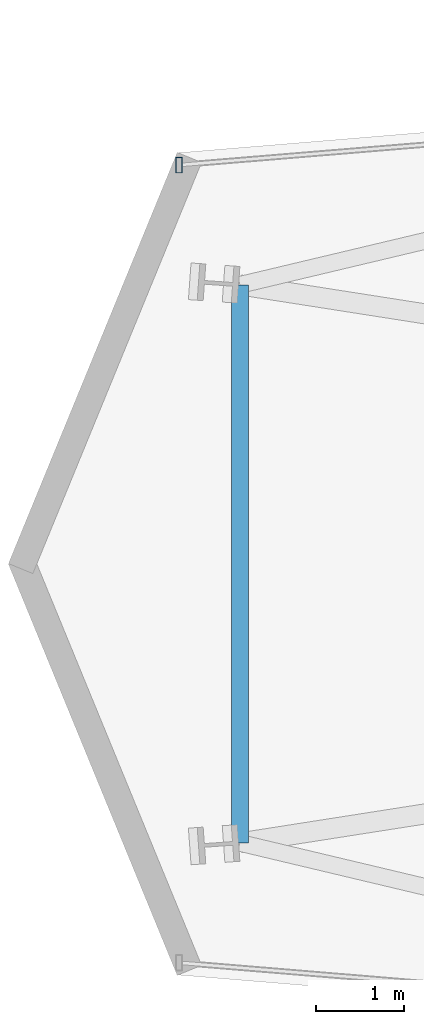
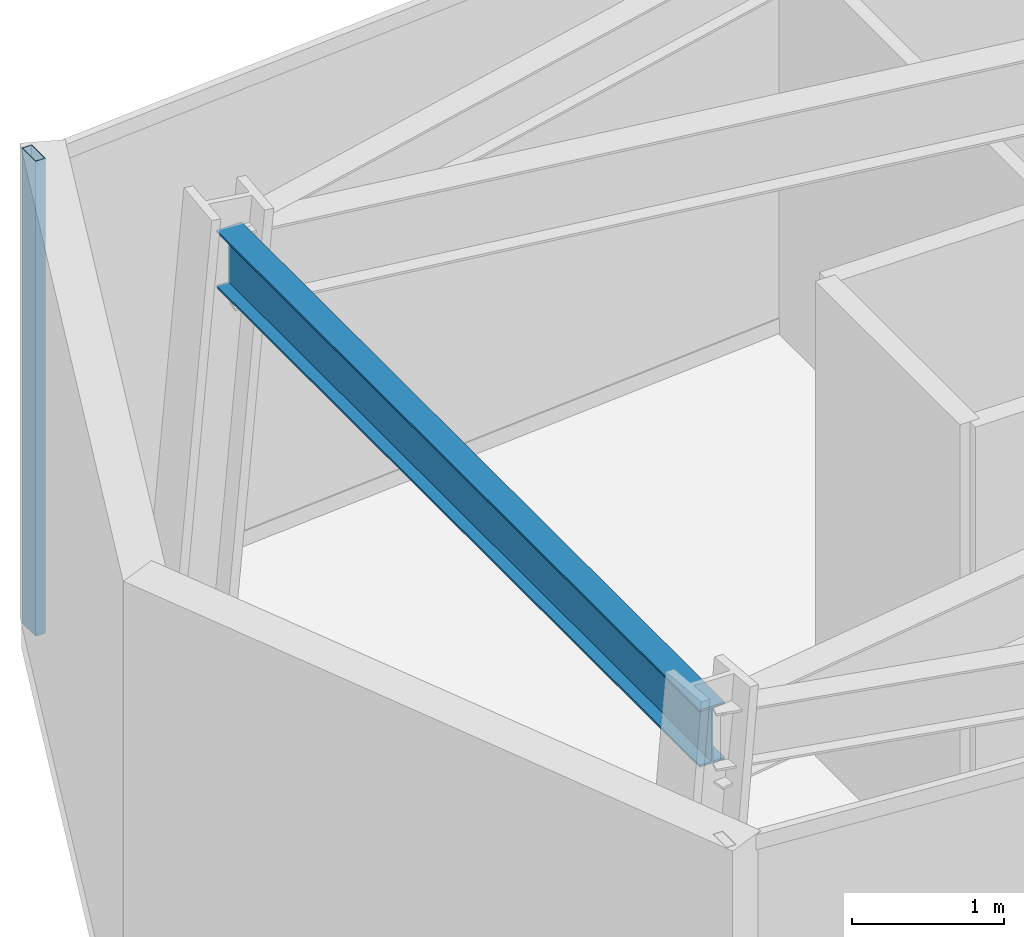
# One storey, part 6 of 24: 1 beam, 1 member, 1 element without a shape of its own.
"""IFC4 building model written with IfcOpenShell, lengths in metres."""

from ifc_helpers import new_model, si_unit, direction, frame, origin, origin_2d, place, context, subcontext, project, spatial, hollow_rectangle, i_section, extrude, material, layer, layer_set, material_profile, profile_set, type_object, element, aggregate, save


model = new_model("IFC4")

# Units and contexts
model_context = context("Model", 3, precision=1e-05, world=origin(), true_north=direction((0.0, 1.0)))
body_context = subcontext(model_context, "Body", "Model", "MODEL_VIEW")
ifc_project = project(units=[si_unit("LENGTHUNIT", "METRE"), si_unit("AREAUNIT", "SQUARE_METRE"), si_unit("VOLUMEUNIT", "CUBIC_METRE"), si_unit("PLANEANGLEUNIT", "RADIAN"), si_unit("MASSUNIT", "GRAM", prefix="KILO")], contexts=[model_context])

# Site, building, storey
site_placement = place(None, origin())
site = spatial("IfcSite", under=ifc_project, at=site_placement, CompositionType="ELEMENT")
building_placement = place(site_placement, origin())
building = spatial("IfcBuilding", under=site, at=building_placement, Name="Veymaron Broadcast Tower", CompositionType="ELEMENT")
storey_placement = place(building_placement, frame((0.0, 0.0, 124.949951171875)))
storey = spatial("IfcBuildingStorey", under=building, at=storey_placement, Name="L28", CompositionType="ELEMENT", Elevation=124.949951171875)

# Beam
ifc_material_1 = material(Name="Structural steel ASTM A992 Gr 50", Category="steel")
ifc_material_profile_1 = material_profile(ifc_material_1, i_section(OverallWidth=0.19091796875, OverallDepth=0.4599609375, WebThickness=0.010009765625, FlangeThickness=0.01611328125, at=origin_2d()), Name="W460X82")
ifc_profile_set_1 = profile_set([ifc_material_profile_1], Name="Structural steel ASTM A992 Gr 50")
beam_type = type_object("IfcBeamType", Name="BM-SP1", PredefinedType="SPANDREL", material=ifc_profile_set_1)
beam_placement = place(storey_placement, frame((10.905029296875, 20.824951171875, 3.580078125), z_axis=(0.0, 1.0, 0.0), x_axis=(-1.0, 0.0, 0.0)))
element("IfcBeam", 1, at=beam_placement, inside=storey, type_object=beam_type, Name="L28 primary structural floor girder", PredefinedType="SPANDREL", context=body_context, shape_type="SweptSolid", body=[
    extrude(i_section(OverallWidth=0.19091796875, OverallDepth=0.4599609375, WebThickness=0.010009765625, FlangeThickness=0.01611328125, at=origin_2d()), origin(), (0.0, 0.0, 1.0), 6.35009765625),
])

# Curtain wall, member
ifc_material_2 = material(Name="Anodised aluminium AA 6063-T6 and laminated low-E dark glass", Category="aluminium")
ifc_layer = layer(ifc_material_2, 0.179931640625)
ifc_layer_set = layer_set([ifc_layer], Name="Anodised aluminium AA 6063-T6 and laminated low-E dark glass")
curtain_wall_type = type_object("IfcCurtainWallType", Name="CW-SYS-03", PredefinedType="NOTDEFINED", material=ifc_layer_set)
curtain_wall_placement = place(storey_placement, origin())
curtain_wall = element("IfcCurtainWall", 2, at=curtain_wall_placement, inside=storey, type_object=curtain_wall_type, Name="L28 dark-glass curtain wall CW-L28-E11-1", PredefinedType="NOTDEFINED")
ifc_material_3 = material(Name="Anodised aluminium AA 6063-T6", Category="aluminium")
ifc_material_profile_2 = material_profile(ifc_material_3, hollow_rectangle(XDim=0.074951171875, YDim=0.179931640625, WallThickness=0.0048828125, at=origin_2d()), Name="AL180X75X5")
ifc_profile_set_2 = profile_set([ifc_material_profile_2], Name="Anodised aluminium AA 6063-T6")
member_type = type_object("IfcMemberType", Name="CW-MUL-02", PredefinedType="MULLION", material=ifc_profile_set_2)
member_placement = place(storey_placement, frame((10.211669921875, 28.5390625, 0.0), z_axis=(0.0, 0.0, 1.0), x_axis=(1.0, 0.0, 0.0)))
member = element("IfcMember", 3, at=member_placement, type_object=member_type, Name="CW-L28-E11-1 mullion 2", PredefinedType="MULLION", context=body_context, shape_type="SweptSolid", body=[
    extrude(hollow_rectangle(XDim=0.074951171875, YDim=0.179931640625, WallThickness=0.0048828125, at=origin_2d()), origin(), (0.0, 0.0, 1.0), 3.81005859375),
])
aggregate(curtain_wall, [member])

save(model, "model.ifc")
